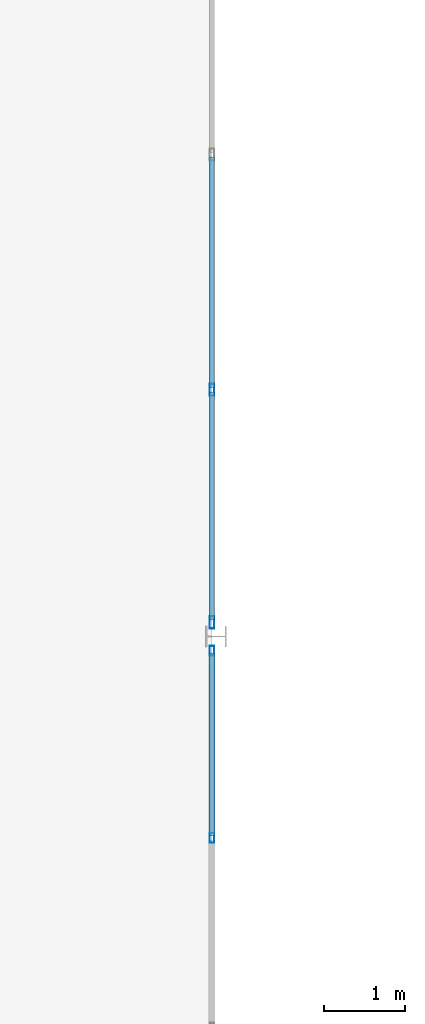
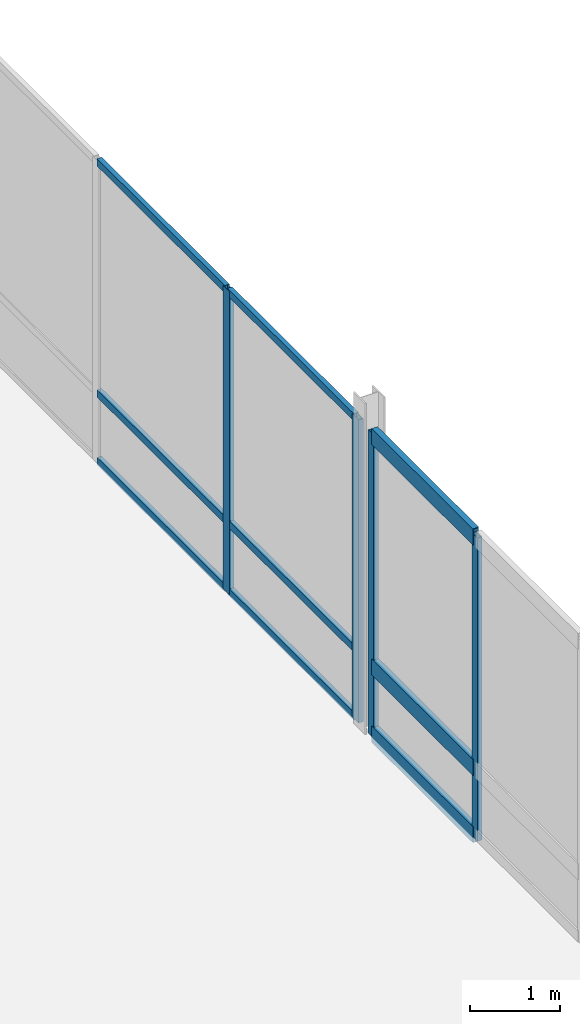
# One storey, part 58 of 115: 13 members, 2 elements without a shape of their own.
"""IFC4 building model written with IfcOpenShell, lengths in metres."""

from ifc_helpers import new_model, si_unit, direction, frame, origin, origin_2d, place, context, subcontext, project, spatial, hollow_rectangle, extrude, material, layer, layer_set, material_profile, profile_set, type_object, element, aggregate, save


model = new_model("IFC4")

# Units and contexts
model_context = context("Model", 3, precision=1e-05, world=origin(), true_north=direction((0.0, 1.0)))
body_context = subcontext(model_context, "Body", "Model", "MODEL_VIEW")
ifc_project = project(units=[si_unit("LENGTHUNIT", "METRE"), si_unit("AREAUNIT", "SQUARE_METRE"), si_unit("VOLUMEUNIT", "CUBIC_METRE"), si_unit("PLANEANGLEUNIT", "RADIAN"), si_unit("MASSUNIT", "GRAM", prefix="KILO")], contexts=[model_context])

# Site, building, storey
site_placement = place(None, origin())
site = spatial("IfcSite", under=ifc_project, at=site_placement, CompositionType="ELEMENT")
building_placement = place(site_placement, origin())
building = spatial("IfcBuilding", under=site, at=building_placement, Name="Montelvaro Courts of Justice", CompositionType="ELEMENT")
storey_placement = place(building_placement, frame((0.0, 0.0, 9.89990234375)))
storey = spatial("IfcBuildingStorey", under=building, at=storey_placement, Name="L02", CompositionType="ELEMENT", Elevation=9.89990234375)

# Curtain wall, members
ifc_material = material(Name="Anodised aluminium EN AW-6063", Category="aluminium")
ifc_layer_1 = layer(ifc_material, 0.159912109375)
ifc_layer_set_1 = layer_set([ifc_layer_1], Name="Anodised aluminium EN AW-6063")
curtain_wall_type_1 = type_object("IfcCurtainWallType", Name="CurtainWall_24_1169x418", PredefinedType="USERDEFINED", material=ifc_layer_set_1)
curtain_wall_1_placement = place(storey_placement, origin())
curtain_wall_1 = element("IfcCurtainWall", 1, at=curtain_wall_1_placement, inside=storey, type_object=curtain_wall_type_1, Name="Curtain Wall CW-24 (L02)", ObjectType="CURTAIN WALL", PredefinedType="USERDEFINED")
ifc_material_profile_1 = material_profile(ifc_material, hollow_rectangle(XDim=0.06005859375, YDim=0.1201171875, WallThickness=0.00341796875, at=origin_2d()), Name="ALU-M 60x120")
ifc_profile_set_1 = profile_set([ifc_material_profile_1], Name="Anodised aluminium EN AW-6063")
member_type_1 = type_object("IfcMemberType", Name="CurtainWall_Mullion_60x120", PredefinedType="MULLION", material=ifc_profile_set_1)
member_1_placement = place(storey_placement, frame((80.949951171875, 63.512939453125, 0.0), z_axis=(0.0, 0.0, 1.0), x_axis=(-1.0, 0.0, 0.0)))
member_1 = element("IfcMember", 2, at=member_1_placement, type_object=member_type_1, Name="CW-24 mullion 5", PredefinedType="MULLION", context=body_context, shape_type="SweptSolid", body=[
    extrude(hollow_rectangle(XDim=0.06005859375, YDim=0.1201171875, WallThickness=0.00341796875, at=origin_2d()), origin(), (0.0, 0.0, 1.0), 4.1201171875),
])
member_2_placement = place(storey_placement, frame((80.949951171875, 65.824951171875, 0.0), z_axis=(0.0, 0.0, 1.0), x_axis=(-1.0, 0.0, 0.0)))
member_2 = element("IfcMember", 3, at=member_2_placement, type_object=member_type_1, Name="CW-24 mullion 6", PredefinedType="MULLION", context=body_context, shape_type="SweptSolid", body=[
    extrude(hollow_rectangle(XDim=0.06005859375, YDim=0.1201171875, WallThickness=0.00341796875, at=origin_2d()), origin(), (0.0, 0.0, 1.0), 4.1201171875),
])

ifc_layer_2 = layer(ifc_material, 0.159912109375)
ifc_layer_set_2 = layer_set([ifc_layer_2], Name="Anodised aluminium EN AW-6063")
curtain_wall_type_2 = type_object("IfcCurtainWallType", Name="CurtainWall_19_1159x418", PredefinedType="USERDEFINED", material=ifc_layer_set_2)
curtain_wall_2_placement = place(storey_placement, origin())
curtain_wall_2 = element("IfcCurtainWall", 4, at=curtain_wall_2_placement, inside=storey, type_object=curtain_wall_type_2, Name="Curtain Wall CW-19 (L02)", ObjectType="CURTAIN WALL", PredefinedType="USERDEFINED")
ifc_material_profile_2 = material_profile(ifc_material, hollow_rectangle(XDim=0.06005859375, YDim=0.14990234375, WallThickness=0.00390625, at=origin_2d()), Name="ALU-M 60x150")
ifc_profile_set_2 = profile_set([ifc_material_profile_2], Name="Anodised aluminium EN AW-6063")
member_type_2 = type_object("IfcMemberType", Name="CurtainWall_Mullion_60x150", PredefinedType="MULLION", material=ifc_profile_set_2)
member_3_placement = place(storey_placement, frame((80.949951171875, 66.175048828125, 0.0), z_axis=(0.0, 0.0, 1.0), x_axis=(-1.0, 0.0, 0.0)))
member_3 = element("IfcMember", 5, at=member_3_placement, type_object=member_type_2, Name="CW-19 mullion 1", PredefinedType="MULLION", context=body_context, shape_type="SweptSolid", body=[
    extrude(hollow_rectangle(XDim=0.06005859375, YDim=0.14990234375, WallThickness=0.00390625, at=origin_2d()), origin(), (0.0, 0.0, 1.0), 4.1201171875),
])
member_4_placement = place(storey_placement, frame((80.949951171875, 69.048828125, 0.0), z_axis=(0.0, 0.0, 1.0), x_axis=(-1.0, 0.0, 0.0)))
member_4 = element("IfcMember", 6, at=member_4_placement, type_object=member_type_2, Name="CW-19 mullion 2", PredefinedType="MULLION", context=body_context, shape_type="SweptSolid", body=[
    extrude(hollow_rectangle(XDim=0.06005859375, YDim=0.14990234375, WallThickness=0.00390625, at=origin_2d()), origin(), (0.0, 0.0, 1.0), 4.1201171875),
])
ifc_material_profile_3 = material_profile(ifc_material, hollow_rectangle(XDim=0.06005859375, YDim=0.10009765625, WallThickness=0.00341796875, at=origin_2d()), Name="ALU-T 60x100")
ifc_profile_set_3 = profile_set([ifc_material_profile_3], Name="Anodised aluminium EN AW-6063")
member_type_3 = type_object("IfcMemberType", Name="CurtainWall_Transom_60x100", PredefinedType="USERDEFINED", material=ifc_profile_set_3)
member_5_placement = place(storey_placement, frame((80.949951171875, 66.205078125, 0.030029296875), z_axis=(0.0, 1.0, 0.0), x_axis=(-1.0, 0.0, 0.0)))
member_5 = element("IfcMember", 7, at=member_5_placement, type_object=member_type_3, Name="CW-19 transom 1.1", ObjectType="TRANSOM", PredefinedType="USERDEFINED", context=body_context, shape_type="SweptSolid", body=[
    extrude(hollow_rectangle(XDim=0.06005859375, YDim=0.10009765625, WallThickness=0.00341796875, at=origin_2d()), origin(), (0.0, 0.0, 1.0), 2.813720703125),
])
member_6_placement = place(storey_placement, frame((80.949951171875, 66.205078125, 0.9501953125), z_axis=(0.0, 1.0, 0.0), x_axis=(-1.0, 0.0, 0.0)))
member_6 = element("IfcMember", 8, at=member_6_placement, type_object=member_type_3, Name="CW-19 transom 1.2", ObjectType="TRANSOM", PredefinedType="USERDEFINED", context=body_context, shape_type="SweptSolid", body=[
    extrude(hollow_rectangle(XDim=0.06005859375, YDim=0.10009765625, WallThickness=0.00341796875, at=origin_2d()), origin(), (0.0, 0.0, 1.0), 2.813720703125),
])
member_7_placement = place(storey_placement, frame((80.949951171875, 66.205078125, 4.090087890625), z_axis=(0.0, 1.0, 0.0), x_axis=(-1.0, 0.0, 0.0)))
member_7 = element("IfcMember", 9, at=member_7_placement, type_object=member_type_3, Name="CW-19 transom 1.3", ObjectType="TRANSOM", PredefinedType="USERDEFINED", context=body_context, shape_type="SweptSolid", body=[
    extrude(hollow_rectangle(XDim=0.06005859375, YDim=0.10009765625, WallThickness=0.00341796875, at=origin_2d()), origin(), (0.0, 0.0, 1.0), 2.813720703125),
])
member_8_placement = place(storey_placement, frame((80.949951171875, 69.078857421875, 0.030029296875), z_axis=(0.0, 1.0, 0.0), x_axis=(-1.0, 0.0, 0.0)))
member_8 = element("IfcMember", 10, at=member_8_placement, type_object=member_type_3, Name="CW-19 transom 2.1", ObjectType="TRANSOM", PredefinedType="USERDEFINED", context=body_context, shape_type="SweptSolid", body=[
    extrude(hollow_rectangle(XDim=0.06005859375, YDim=0.10009765625, WallThickness=0.00341796875, at=origin_2d()), origin(), (0.0, 0.0, 1.0), 2.84375),
])
member_9_placement = place(storey_placement, frame((80.949951171875, 69.078857421875, 0.9501953125), z_axis=(0.0, 1.0, 0.0), x_axis=(-1.0, 0.0, 0.0)))
member_9 = element("IfcMember", 11, at=member_9_placement, type_object=member_type_3, Name="CW-19 transom 2.2", ObjectType="TRANSOM", PredefinedType="USERDEFINED", context=body_context, shape_type="SweptSolid", body=[
    extrude(hollow_rectangle(XDim=0.06005859375, YDim=0.10009765625, WallThickness=0.00341796875, at=origin_2d()), origin(), (0.0, 0.0, 1.0), 2.84375),
])
member_10_placement = place(storey_placement, frame((80.949951171875, 69.078857421875, 4.090087890625), z_axis=(0.0, 1.0, 0.0), x_axis=(-1.0, 0.0, 0.0)))
member_10 = element("IfcMember", 12, at=member_10_placement, type_object=member_type_3, Name="CW-19 transom 2.3", ObjectType="TRANSOM", PredefinedType="USERDEFINED", context=body_context, shape_type="SweptSolid", body=[
    extrude(hollow_rectangle(XDim=0.06005859375, YDim=0.10009765625, WallThickness=0.00341796875, at=origin_2d()), origin(), (0.0, 0.0, 1.0), 2.84375),
])
aggregate(curtain_wall_2, [member_3, member_4, member_5, member_6, member_7, member_8, member_9, member_10])

# Member
ifc_material_profile_4 = material_profile(ifc_material, hollow_rectangle(XDim=0.074951171875, YDim=0.219970703125, WallThickness=0.005615234375, at=origin_2d()), Name="ALU-T 75x220")
ifc_profile_set_4 = profile_set([ifc_material_profile_4], Name="Anodised aluminium EN AW-6063")
member_type_4 = type_object("IfcMemberType", Name="CurtainWall_Transom_75x220", PredefinedType="USERDEFINED", material=ifc_profile_set_4)
member_11_placement = place(storey_placement, frame((80.949951171875, 63.54296875, 0.03759765625), z_axis=(0.0, 1.0, 0.0), x_axis=(-1.0, 0.0, 0.0)))
member_11 = element("IfcMember", 13, at=member_11_placement, type_object=member_type_4, Name="CW-24 transom 5.1", ObjectType="TRANSOM", PredefinedType="USERDEFINED", context=body_context, shape_type="SweptSolid", body=[
    extrude(hollow_rectangle(XDim=0.074951171875, YDim=0.219970703125, WallThickness=0.005615234375, at=origin_2d()), origin(), (0.0, 0.0, 1.0), 2.251953125),
])

member_12_placement = place(storey_placement, frame((80.949951171875, 63.54296875, 0.9501953125), z_axis=(0.0, 1.0, 0.0), x_axis=(-1.0, 0.0, 0.0)))
member_12 = element("IfcMember", 14, at=member_12_placement, type_object=member_type_4, Name="CW-24 transom 5.2", ObjectType="TRANSOM", PredefinedType="USERDEFINED", context=body_context, shape_type="SweptSolid", body=[
    extrude(hollow_rectangle(XDim=0.074951171875, YDim=0.219970703125, WallThickness=0.005615234375, at=origin_2d()), origin(), (0.0, 0.0, 1.0), 2.251953125),
])

member_13_placement = place(storey_placement, frame((80.949951171875, 63.54296875, 4.08251953125), z_axis=(0.0, 1.0, 0.0), x_axis=(-1.0, 0.0, 0.0)))
member_13 = element("IfcMember", 15, at=member_13_placement, type_object=member_type_4, Name="CW-24 transom 5.3", ObjectType="TRANSOM", PredefinedType="USERDEFINED", context=body_context, shape_type="SweptSolid", body=[
    extrude(hollow_rectangle(XDim=0.074951171875, YDim=0.219970703125, WallThickness=0.005615234375, at=origin_2d()), origin(), (0.0, 0.0, 1.0), 2.251953125),
])

aggregate(curtain_wall_1, [member_1, member_2, member_11, member_12, member_13])

save(model, "model.ifc")
